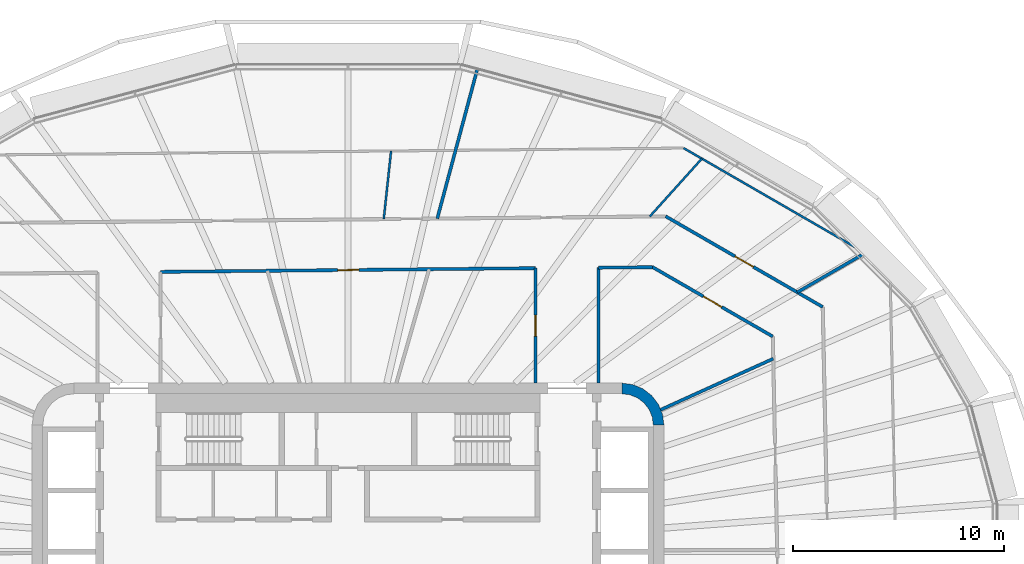
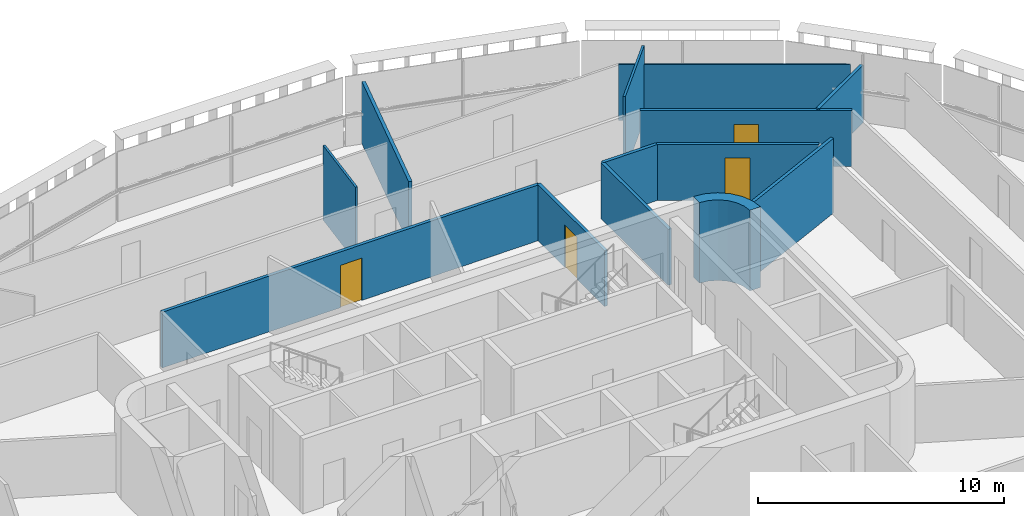
# One storey, part 14 of 21: 13 walls, 4 doors, 4 openings.
"""IFC4 building model written with IfcOpenShell, lengths in metres."""

from ifc_helpers import new_model, si_unit, direction, frame, frame_2d, origin, place, context, subcontext, project, spatial, polyline, rectangle, outline, extrude, material, layer, layer_set, type_object, element, fill, save


model = new_model("IFC4")

# Units and contexts
model_context = context("Model", 3, precision=1e-05, world=origin(), true_north=direction((0.0, 1.0)))
body_context = subcontext(model_context, "Body", "Model", "MODEL_VIEW")
ifc_project = project(units=[si_unit("LENGTHUNIT", "METRE"), si_unit("AREAUNIT", "SQUARE_METRE"), si_unit("VOLUMEUNIT", "CUBIC_METRE"), si_unit("PLANEANGLEUNIT", "RADIAN"), si_unit("MASSUNIT", "GRAM", prefix="KILO")], contexts=[model_context])

# Site, building, storey
site_placement = place(None, origin())
site = spatial("IfcSite", under=ifc_project, at=site_placement, CompositionType="ELEMENT")
building_placement = place(site_placement, origin())
building = spatial("IfcBuilding", under=site, at=building_placement, Name="Sahrelin Media Tower", CompositionType="ELEMENT")
storey_placement = place(building_placement, frame((0.0, 0.0, 193.60009765625)))
storey = spatial("IfcBuildingStorey", under=building, at=storey_placement, Name="L41", CompositionType="ELEMENT", Elevation=193.60009765625)

# Wall
ifc_material_1 = material(Name="Concrete C60/75", Category="concrete")
ifc_layer_1 = layer(ifc_material_1, 0.5)
ifc_layer_set_1 = layer_set([ifc_layer_1], Name="Core wall 500")
wall_type_1 = type_object("IfcWallType", Name="Core wall 500", PredefinedType="SHEAR", material=ifc_layer_set_1)
wall_1_placement = place(storey_placement, origin())
element("IfcWall", 1, at=wall_1_placement, inside=storey, type_object=wall_type_1, Name="Core wall corner NE L41", PredefinedType="SHEAR", context=body_context, shape_type="SweptSolid", body=[
    extrude(outline(polyline([(13.0, 8.0), (13.0, 7.49560546875), (13.38720703125, 7.44482421875), (13.747802734375, 7.29541015625), (14.0576171875, 7.0576171875), (14.29541015625, 6.747802734375), (14.44482421875, 6.38720703125), (14.49560546875, 6.0), (15.0, 6.0), (14.931884765625, 6.517578125), (14.732177734375, 7.0), (14.414306640625, 7.414306640625), (14.0, 7.732177734375), (13.517578125, 7.931884765625), (13.0, 8.0)])), origin(), (0.0, 0.0, 1.0), 4.0),
])

# Wall, opening, door
ifc_material_2 = material(Name="Fire-rated gypsum board partition")
ifc_layer_2 = layer(ifc_material_2, 0.14990234375)
ifc_layer_set_2 = layer_set([ifc_layer_2], Name="Fire-rated partition 150")
wall_type_2 = type_object("IfcWallType", Name="Fire-rated partition 150", PredefinedType="PARTITIONING", material=ifc_layer_set_2)
wall_2_placement = place(storey_placement, frame((14.447998046875, 13.514892578125, 0.0), z_axis=(0.0, 0.0, 1.0), x_axis=(0.866032288321, -0.499988075443, 0.0)))
wall_2 = element("IfcWall", 2, at=wall_2_placement, inside=storey, type_object=wall_type_2, Name="Wall", PredefinedType="PARTITIONING", context=body_context, shape_type="SweptSolid", body=[
    extrude(rectangle(XDim=6.603759765625, YDim=0.14990234375, at=frame_2d((3.3017578125, 0.0))), origin(), (0.0, 0.0, 1.0), 2.77685546875),
])
opening_1_placement = place(wall_2_placement, frame((2.801513671875, 0.0, 0.0)))
opening_1 = element("IfcOpeningElement", 3, at=opening_1_placement, cuts=wall_2, Name="Opening L41-D27", PredefinedType="OPENING", context=body_context, shape_type="SweptSolid", body=[
    extrude(rectangle(XDim=1.0, YDim=2.10009765625, at=frame_2d((0.5, 1.050048828125))), frame((0.0, 0.074951171875, 0.0), z_axis=(0.0, -1.0, 0.0), x_axis=(1.0, 0.0, 0.0)), (0.0, 0.0, 1.0), 0.14990234375),
])
ifc_material_3 = material(Name="Steel fire door leaf", Category="steel")
door_type = type_object("IfcDoorType", Name="Fire door 1000 x 2100 EI 60", OperationType="NOTDEFINED", PredefinedType="DOOR", material=ifc_material_3)
door_1_placement = place(opening_1_placement, origin())
door_1 = element("IfcDoor", 4, at=door_1_placement, inside=storey, type_object=door_type, Name="Fire door", OperationType="SINGLE_SWING_RIGHT", OverallHeight=2.10009765625, OverallWidth=1.0, PredefinedType="DOOR", context=body_context, shape_type="SweptSolid", body=[
    extrude(rectangle(XDim=1.0, YDim=2.10009765625, at=frame_2d((0.5, 1.050048828125))), frame((0.0, 0.02490234375, 0.0), z_axis=(0.0, -1.0, 0.0), x_axis=(1.0, 0.0, 0.0)), (0.0, 0.0, 1.0), 0.050048828125),
])
fill(opening_1, door_1)

wall_3_placement = place(storey_placement, frame((15.080078125, 15.921142578125, 0.0), z_axis=(0.0, 0.0, 1.0), x_axis=(0.866020838546, -0.500007907142, 0.0)))
wall_3 = element("IfcWall", 5, at=wall_3_placement, inside=storey, type_object=wall_type_2, Name="Wall", PredefinedType="PARTITIONING", context=body_context, shape_type="SweptSolid", body=[
    extrude(rectangle(XDim=8.612548828125, YDim=0.14990234375, at=frame_2d((4.30615234375, 0.0))), origin(), (0.0, 0.0, 1.0), 2.77685546875),
])
opening_2_placement = place(wall_3_placement, frame((3.807861328125, 0.0, 0.0)))
opening_2 = element("IfcOpeningElement", 6, at=opening_2_placement, cuts=wall_3, Name="Opening L41-D38", PredefinedType="OPENING", context=body_context, shape_type="SweptSolid", body=[
    extrude(rectangle(XDim=1.0, YDim=2.10009765625, at=frame_2d((0.5, 1.050048828125))), frame((0.0, 0.074951171875, 0.0), z_axis=(0.0, -1.0, 0.0), x_axis=(1.0, 0.0, 0.0)), (0.0, 0.0, 1.0), 0.14990234375),
])
door_2_placement = place(opening_2_placement, origin())
door_2 = element("IfcDoor", 7, at=door_2_placement, inside=storey, type_object=door_type, Name="Fire door", OperationType="SINGLE_SWING_RIGHT", OverallHeight=2.10009765625, OverallWidth=1.0, PredefinedType="DOOR", context=body_context, shape_type="SweptSolid", body=[
    extrude(rectangle(XDim=1.0, YDim=2.10009765625, at=frame_2d((0.5, 1.050048828125))), frame((0.0, 0.02490234375, 0.0), z_axis=(0.0, -1.0, 0.0), x_axis=(1.0, 0.0, 0.0)), (0.0, 0.0, 1.0), 0.050048828125),
])
fill(opening_2, door_2)

wall_4_placement = place(storey_placement, frame((-8.89990234375, 13.282470703125, 0.0), z_axis=(0.0, 0.0, 1.0), x_axis=(0.999951241216, 0.009874977968, 0.0)))
wall_4 = element("IfcWall", 8, at=wall_4_placement, inside=storey, type_object=wall_type_2, Name="Wall", PredefinedType="PARTITIONING", context=body_context, shape_type="SweptSolid", body=[
    extrude(rectangle(XDim=17.80078125, YDim=0.14990234375, at=frame_2d((8.900390625, 0.0))), origin(), (0.0, 0.0, 1.0), 2.76806640625),
])
opening_3_placement = place(wall_4_placement, frame((8.41259765625, 0.0, 0.0)))
opening_3 = element("IfcOpeningElement", 9, at=opening_3_placement, cuts=wall_4, Name="Opening L41-D29", PredefinedType="OPENING", context=body_context, shape_type="SweptSolid", body=[
    extrude(rectangle(XDim=1.0, YDim=2.10009765625, at=frame_2d((0.5, 1.050048828125))), frame((0.0, 0.074951171875, 0.0), z_axis=(0.0, -1.0, 0.0), x_axis=(1.0, 0.0, 0.0)), (0.0, 0.0, 1.0), 0.14990234375),
])
door_3_placement = place(opening_3_placement, origin())
door_3 = element("IfcDoor", 10, at=door_3_placement, inside=storey, type_object=door_type, Name="Fire door", OperationType="SINGLE_SWING_RIGHT", OverallHeight=2.10009765625, OverallWidth=1.0, PredefinedType="DOOR", context=body_context, shape_type="SweptSolid", body=[
    extrude(rectangle(XDim=1.0, YDim=2.10009765625, at=frame_2d((0.5, 1.050048828125))), frame((0.0, 0.02490234375, 0.0), z_axis=(0.0, -1.0, 0.0), x_axis=(1.0, 0.0, 0.0)), (0.0, 0.0, 1.0), 0.050048828125),
])
fill(opening_3, door_3)

# Walls
wall_5_placement = place(storey_placement, frame((11.89990234375, 13.47998046875, 0.0), z_axis=(0.0, 0.0, 1.0), x_axis=(0.999951307579, 0.009868255694, 0.0)))
element("IfcWall", 11, at=wall_5_placement, inside=storey, type_object=wall_type_2, Name="Wall", PredefinedType="PARTITIONING", context=body_context, shape_type="SweptSolid", body=[
    extrude(rectangle(XDim=2.54833984375, YDim=0.14990234375, at=frame_2d((1.274169921875, 0.0))), origin(), (0.0, 0.0, 1.0), 2.77685546875),
])
wall_6_placement = place(storey_placement, frame((14.843017578125, 6.73291015625, 0.0), z_axis=(0.0, 0.0, 1.0), x_axis=(0.910628361306, 0.413226315214, 0.0)))
element("IfcWall", 12, at=wall_6_placement, inside=storey, type_object=wall_type_2, Name="Wall", PredefinedType="PARTITIONING", context=body_context, shape_type="SweptSolid", body=[
    extrude(rectangle(XDim=5.870361328125, YDim=0.14990234375, at=frame_2d((2.93505859375, 0.0))), origin(), (0.0, 0.0, 1.0), 3.699951171875),
])
wall_7_placement = place(storey_placement, frame((21.3291015625, 12.31396484375, 0.0), z_axis=(0.0, 0.0, 1.0), x_axis=(0.866038125567, 0.499977964579, 0.0)))
element("IfcWall", 13, at=wall_7_placement, inside=storey, type_object=wall_type_2, Name="Wall", PredefinedType="PARTITIONING", context=body_context, shape_type="SweptSolid", body=[
    extrude(rectangle(XDim=3.584228515625, YDim=0.14990234375, at=frame_2d((1.7919921875, 0.0))), origin(), (0.0, 0.0, 1.0), 2.844970703125),
])
wall_8_placement = place(storey_placement, frame((4.237060546875, 15.81298828125, 0.0), z_axis=(0.0, 0.0, 1.0), x_axis=(0.258799155252, 0.965931155539, 0.0)))
element("IfcWall", 14, at=wall_8_placement, inside=storey, type_object=wall_type_2, Name="Wall", PredefinedType="PARTITIONING", context=body_context, shape_type="SweptSolid", body=[
    extrude(rectangle(XDim=7.3525390625, YDim=0.14990234375, at=frame_2d((3.67626953125, 0.0))), origin(), (0.0, 0.0, 1.0), 3.077392578125),
])
wall_9_placement = place(storey_placement, frame((11.89990234375, 8.0, 0.0), z_axis=(0.0, 0.0, 1.0), x_axis=(0.0, 1.0, 0.0)))
element("IfcWall", 15, at=wall_9_placement, inside=storey, type_object=wall_type_2, Name="Wall", PredefinedType="PARTITIONING", context=body_context, shape_type="SweptSolid", body=[
    extrude(rectangle(XDim=5.47900390625, YDim=0.14990234375, at=frame_2d((2.739501953125, 0.0))), origin(), (0.0, 0.0, 1.0), 2.77685546875),
])

# Wall, opening, door
wall_10_placement = place(storey_placement, frame((8.89990234375, 8.0, 0.0), z_axis=(0.0, 0.0, 1.0), x_axis=(0.0, 1.0, 0.0)))
wall_10 = element("IfcWall", 16, at=wall_10_placement, inside=storey, type_object=wall_type_2, Name="Wall", PredefinedType="PARTITIONING", context=body_context, shape_type="SweptSolid", body=[
    extrude(rectangle(XDim=5.4599609375, YDim=0.14990234375, at=frame_2d((2.72998046875, 0.0))), origin(), (0.0, 0.0, 1.0), 2.77685546875),
])
opening_4_placement = place(wall_10_placement, frame((2.22998046875, 0.0, 0.0)))
opening_4 = element("IfcOpeningElement", 17, at=opening_4_placement, cuts=wall_10, Name="Opening L41-D28", PredefinedType="OPENING", context=body_context, shape_type="SweptSolid", body=[
    extrude(rectangle(XDim=1.0, YDim=2.10009765625, at=frame_2d((0.5, 1.050048828125))), frame((0.0, 0.074951171875, 0.0), z_axis=(0.0, -1.0, 0.0), x_axis=(1.0, 0.0, 0.0)), (0.0, 0.0, 1.0), 0.14990234375),
])
door_4_placement = place(opening_4_placement, origin())
door_4 = element("IfcDoor", 18, at=door_4_placement, inside=storey, type_object=door_type, Name="Fire door", OperationType="SINGLE_SWING_RIGHT", OverallHeight=2.10009765625, OverallWidth=1.0, PredefinedType="DOOR", context=body_context, shape_type="SweptSolid", body=[
    extrude(rectangle(XDim=1.0, YDim=2.10009765625, at=frame_2d((0.5, 1.050048828125))), frame((0.0, 0.02490234375, 0.0), z_axis=(0.0, -1.0, 0.0), x_axis=(1.0, 0.0, 0.0)), (0.0, 0.0, 1.0), 0.050048828125),
])
fill(opening_4, door_4)

# Walls
ifc_material_4 = material(Name="Gypsum board partition")
ifc_layer_3 = layer(ifc_material_4, 0.10009765625)
ifc_layer_set_3 = layer_set([ifc_layer_3], Name="Partition 100")
wall_type_3 = type_object("IfcWallType", Name="Partition 100", PredefinedType="PARTITIONING", material=ifc_layer_set_3)
wall_11_placement = place(storey_placement, frame((15.930908203125, 19.159912109375, 0.0), z_axis=(0.0, 0.0, 1.0), x_axis=(0.86598056092, -0.500077662076, 0.0)))
element("IfcWall", 19, at=wall_11_placement, inside=storey, type_object=wall_type_3, Name="Wall", PredefinedType="PARTITIONING", context=body_context, shape_type="SweptSolid", body=[
    extrude(rectangle(XDim=9.419921875, YDim=0.10009765625, at=frame_2d((4.7099609375, 0.0))), origin(), (0.0, 0.0, 1.0), 2.77685546875),
])
wall_12_placement = place(storey_placement, frame((14.3291015625, 15.9140625, 0.0), z_axis=(0.0, 0.0, 1.0), x_axis=(0.669180226247, 0.74310014453, 0.0)))
element("IfcWall", 20, at=wall_12_placement, inside=storey, type_object=wall_type_3, Name="Wall", PredefinedType="PARTITIONING", context=body_context, shape_type="SweptSolid", body=[
    extrude(rectangle(XDim=3.6923828125, YDim=0.10009765625, at=frame_2d((1.84619140625, 0.0))), origin(), (0.0, 0.0, 1.0), 3.699951171875),
])
wall_13_placement = place(storey_placement, frame((1.696044921875, 15.7880859375, 0.0), z_axis=(0.0, 0.0, 1.0), x_axis=(0.106930547304, 0.994266492472, 0.0)))
element("IfcWall", 21, at=wall_13_placement, inside=storey, type_object=wall_type_3, Name="Wall", PredefinedType="PARTITIONING", context=body_context, shape_type="SweptSolid", body=[
    extrude(rectangle(XDim=3.25341796875, YDim=0.10009765625, at=frame_2d((1.626708984375, 0.0))), origin(), (0.0, 0.0, 1.0), 3.699951171875),
])

save(model, "model.ifc")
